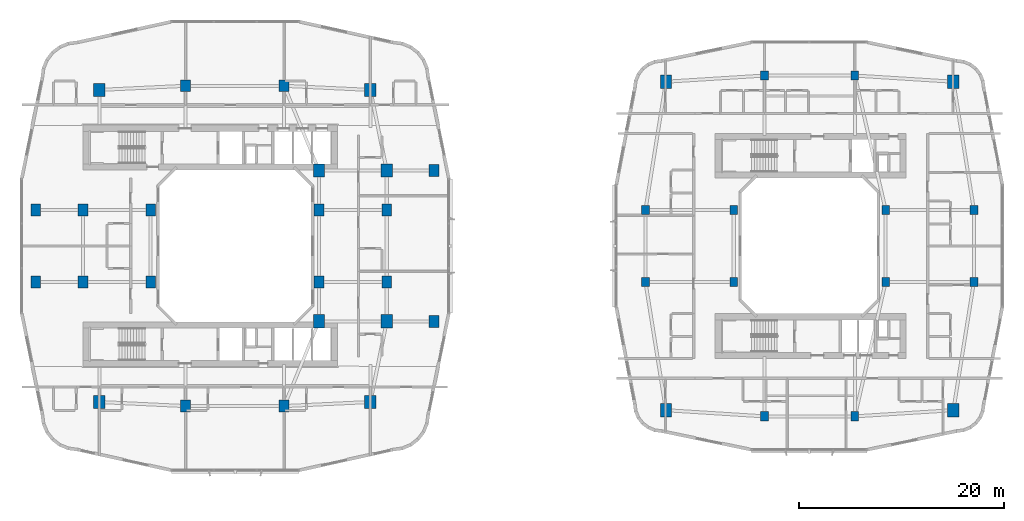
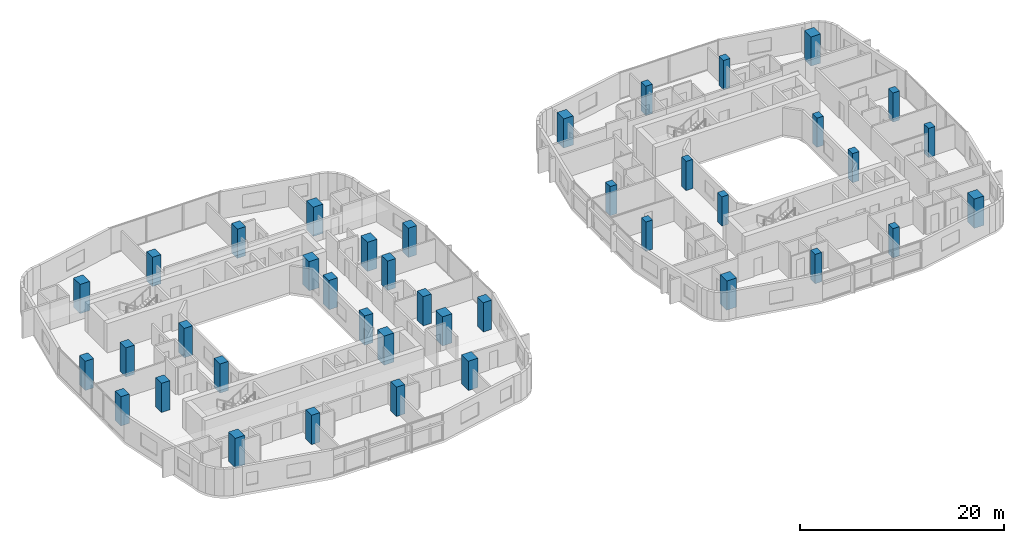
# One storey, part 1 of 27: 40 columns.
"""IFC4 building model written with IfcOpenShell, lengths in metres."""

from ifc_helpers import new_model, si_unit, derived_unit, direction, frame, origin, origin_2d, place, context, subcontext, project, spatial, rectangle, extrude, material, material_profile, profile_set, type_object, element, save


model = new_model("IFC4")

# Units and contexts
model_context = context("Model", 3, precision=1e-05, world=origin(), true_north=direction((0.0, 1.0)))
body_context = subcontext(model_context, "Body", "Model", "MODEL_VIEW")
ifc_project = project(units=[si_unit("LENGTHUNIT", "METRE"), si_unit("AREAUNIT", "SQUARE_METRE"), si_unit("VOLUMEUNIT", "CUBIC_METRE"), si_unit("PLANEANGLEUNIT", "RADIAN"), si_unit("MASSUNIT", "GRAM", prefix="KILO"), derived_unit("THERMALTRANSMITTANCEUNIT", [(si_unit("POWERUNIT", "WATT"), 1), (si_unit("LENGTHUNIT", "METRE"), -2), (si_unit("THERMODYNAMICTEMPERATUREUNIT", "KELVIN"), -1)])], contexts=[model_context])

# Site, building, storey
site_placement = place(None, origin())
site = spatial("IfcSite", under=ifc_project, at=site_placement, CompositionType="ELEMENT")
building_placement = place(site_placement, origin())
building = spatial("IfcBuilding", under=site, at=building_placement, Name="Kivonza Crest Hotel", CompositionType="ELEMENT")
storey_placement = place(building_placement, frame((0.0, 0.0, 34.5)))
storey = spatial("IfcBuildingStorey", under=building, at=storey_placement, Name="L08", CompositionType="ELEMENT", Elevation=34.5)

# Columns
ifc_material_1 = material(Name="Concrete C60/75", Category="concrete")
ifc_material_profile_1 = material_profile(ifc_material_1, rectangle(XDim=0.949951171875, YDim=1.14990234375, at=origin_2d()), Name="RC 1150x950")
ifc_profile_set_1 = profile_set([ifc_material_profile_1], Name="Concrete C60/75")
column_type_1 = type_object("IfcColumnType", Name="CL-RC-1150x950", PredefinedType="COLUMN", material=ifc_profile_set_1)
for number, where, z_axis, x_axis, name in (
    (1, (16.199951171875, 9.39990234375, 0.0), (0.0, 0.0, 1.0), (1.0, 0.0, 0.0), "Tower T1 L08 column S1"),
    (2, (25.800048828125, 9.39990234375, 0.0), (0.0, 0.0, 1.0), (1.0, 0.0, 0.0), "Tower T1 L08 column S2"),
    (3, (16.199951171875, 40.60009765625, 0.0), (0.0, 0.0, 1.0), (1.0, 0.0, 0.0), "Tower T1 L08 column N1"),
    (4, (25.800048828125, 40.60009765625, 0.0), (0.0, 0.0, 1.0), (1.0, 0.0, 0.0), "Tower T1 L08 column N2"),
    (5, (6.199951171875, 21.5, 0.0), (0.0, 0.0, 1.0), (1.0, 0.0, 0.0), "Tower T1 L08 column W1"),
    (6, (6.199951171875, 28.5, 0.0), (0.0, 0.0, 1.0), (1.0, 0.0, 0.0), "Tower T1 L08 column W2"),
    (7, (35.800048828125, 21.5, 0.0), (0.0, 0.0, 1.0), (1.0, 0.0, 0.0), "Tower T1 L08 column E1"),
    (8, (35.800048828125, 28.5, 0.0), (0.0, 0.0, 1.0), (1.0, 0.0, 0.0), "Tower T1 L08 column E2"),
    (9, (12.800048828125, 21.5, 0.0), (0.0, 0.0, 1.0), (1.0, 0.0, 0.0), "Tower T1 L08 column WL1"),
    (10, (12.800048828125, 28.5, 0.0), (0.0, 0.0, 1.0), (1.0, 0.0, 0.0), "Tower T1 L08 column WL2"),
    (11, (29.199951171875, 21.5, 0.0), (0.0, 0.0, 1.0), (1.0, 0.0, 0.0), "Tower T1 L08 column WR1"),
    (12, (29.199951171875, 28.5, 0.0), (0.0, 0.0, 1.0), (1.0, 0.0, 0.0), "Tower T1 L08 column WR2"),
    (13, (1.60009765625, 21.5, 0.0), (0.0, 0.0, 1.0), (1.0, 0.0, 0.0), "Tower T1 L08 column Z1W1"),
    (14, (1.60009765625, 28.5, 0.0), (0.0, 0.0, 1.0), (1.0, 0.0, 0.0), "Tower T1 L08 column Z1W2"),
    (15, (40.39990234375, 17.64990234375, 0.0), (0.0, 0.0, 1.0), (1.0, 0.0, 0.0), "Tower T1 L08 column Z1E1"),
    (16, (40.39990234375, 32.35009765625, 0.0), (0.0, 0.0, 1.0), (1.0, 0.0, 0.0), "Tower T1 L08 column Z1E2"),
):
    element("IfcColumn", number, at=place(storey_placement, frame(where, z_axis=z_axis, x_axis=x_axis)), inside=storey, type_object=column_type_1, Name=name, PredefinedType="COLUMN", context=body_context, shape_type="SweptSolid", body=[
        extrude(rectangle(XDim=0.949951171875, YDim=1.14990234375, at=origin_2d()), origin(), (0.0, 0.0, 1.0), 3.5),
    ])
ifc_material_profile_2 = material_profile(ifc_material_1, rectangle(XDim=1.10009765625, YDim=1.300048828125, at=origin_2d()), Name="RC 1300x1100")
ifc_profile_set_2 = profile_set([ifc_material_profile_2], Name="Concrete C60/75")
column_type_2 = type_object("IfcColumnType", Name="CL-RC-1300x1100", PredefinedType="COLUMN", material=ifc_profile_set_2)
for number, where, z_axis, x_axis, name in (
    (17, (7.800048828125, 9.800048828125, 0.0), (0.0, 0.0, 1.0), (1.0, 0.0, 0.0), "Tower T1 L08 column SW"),
    (18, (34.199951171875, 9.800048828125, 0.0), (0.0, 0.0, 1.0), (1.0, 0.0, 0.0), "Tower T1 L08 column SE"),
    (19, (34.199951171875, 40.199951171875, 0.0), (0.0, 0.0, 1.0), (1.0, 0.0, 0.0), "Tower T1 L08 column NE"),
    (20, (7.800048828125, 40.199951171875, 0.0), (0.0, 0.0, 1.0), (1.0, 0.0, 0.0), "Tower T1 L08 column NW"),
    (21, (35.800048828125, 17.64990234375, 0.0), (0.0, 0.0, 1.0), (1.0, 0.0, 0.0), "Tower T1 L08 column PSE"),
    (22, (35.800048828125, 32.35009765625, 0.0), (0.0, 0.0, 1.0), (1.0, 0.0, 0.0), "Tower T1 L08 column PNE"),
    (23, (29.199951171875, 17.64990234375, 0.0), (0.0, 0.0, 1.0), (1.0, 0.0, 0.0), "Tower T1 L08 column TSE"),
    (24, (29.199951171875, 32.35009765625, 0.0), (0.0, 0.0, 1.0), (1.0, 0.0, 0.0), "Tower T1 L08 column TNE"),
    (25, (63.0, 9.0, 0.0), (0.0, 0.0, 1.0), (1.0, 0.0, 0.0), "Companion Tower T2 L08 column SW"),
    (26, (91.0, 9.0, 0.0), (0.0, 0.0, 1.0), (1.0, 0.0, 0.0), "Companion Tower T2 L08 column SE"),
    (27, (91.0, 41.0, 0.0), (0.0, 0.0, 1.0), (1.0, 0.0, 0.0), "Companion Tower T2 L08 column NE"),
    (28, (63.0, 41.0, 0.0), (0.0, 0.0, 1.0), (1.0, 0.0, 0.0), "Companion Tower T2 L08 column NW"),
):
    element("IfcColumn", number, at=place(storey_placement, frame(where, z_axis=z_axis, x_axis=x_axis)), inside=storey, type_object=column_type_2, Name=name, PredefinedType="COLUMN", context=body_context, shape_type="SweptSolid", body=[
        extrude(rectangle(XDim=1.10009765625, YDim=1.300048828125, at=origin_2d()), origin(), (0.0, 0.0, 1.0), 3.5),
    ])
ifc_material_2 = material(Name="Concrete C50/60", Category="concrete")
ifc_material_profile_3 = material_profile(ifc_material_2, rectangle(XDim=0.75, YDim=0.89990234375, at=origin_2d()), Name="RC 900x750")
ifc_profile_set_3 = profile_set([ifc_material_profile_3], Name="Concrete C50/60")
column_type_3 = type_object("IfcColumnType", Name="CL-RC-900x750", PredefinedType="COLUMN", material=ifc_profile_set_3)
for number, where, z_axis, x_axis, name in (
    (29, (72.60009765625, 8.39990234375, 0.0), (0.0, 0.0, 1.0), (1.0, 0.0, 0.0), "Companion Tower T2 L08 column S1"),
    (30, (81.39990234375, 8.39990234375, 0.0), (0.0, 0.0, 1.0), (1.0, 0.0, 0.0), "Companion Tower T2 L08 column S2"),
    (31, (72.60009765625, 41.60009765625, 0.0), (0.0, 0.0, 1.0), (1.0, 0.0, 0.0), "Companion Tower T2 L08 column N1"),
    (32, (81.39990234375, 41.60009765625, 0.0), (0.0, 0.0, 1.0), (1.0, 0.0, 0.0), "Companion Tower T2 L08 column N2"),
    (33, (61.0, 21.5, 0.0), (0.0, 0.0, 1.0), (1.0, 0.0, 0.0), "Companion Tower T2 L08 column W1"),
    (34, (61.0, 28.5, 0.0), (0.0, 0.0, 1.0), (1.0, 0.0, 0.0), "Companion Tower T2 L08 column W2"),
    (35, (93.0, 21.5, 0.0), (0.0, 0.0, 1.0), (1.0, 0.0, 0.0), "Companion Tower T2 L08 column E1"),
    (36, (93.0, 28.5, 0.0), (0.0, 0.0, 1.0), (1.0, 0.0, 0.0), "Companion Tower T2 L08 column E2"),
    (37, (69.60009765625, 21.5, 0.0), (0.0, 0.0, 1.0), (1.0, 0.0, 0.0), "Companion Tower T2 L08 column WL1"),
    (38, (69.60009765625, 28.5, 0.0), (0.0, 0.0, 1.0), (1.0, 0.0, 0.0), "Companion Tower T2 L08 column WL2"),
    (39, (84.39990234375, 21.5, 0.0), (0.0, 0.0, 1.0), (1.0, 0.0, 0.0), "Companion Tower T2 L08 column WR1"),
    (40, (84.39990234375, 28.5, 0.0), (0.0, 0.0, 1.0), (1.0, 0.0, 0.0), "Companion Tower T2 L08 column WR2"),
):
    element("IfcColumn", number, at=place(storey_placement, frame(where, z_axis=z_axis, x_axis=x_axis)), inside=storey, type_object=column_type_3, Name=name, PredefinedType="COLUMN", context=body_context, shape_type="SweptSolid", body=[
        extrude(rectangle(XDim=0.75, YDim=0.89990234375, at=origin_2d()), origin(), (0.0, 0.0, 1.0), 3.5),
    ])

save(model, "model.ifc")
